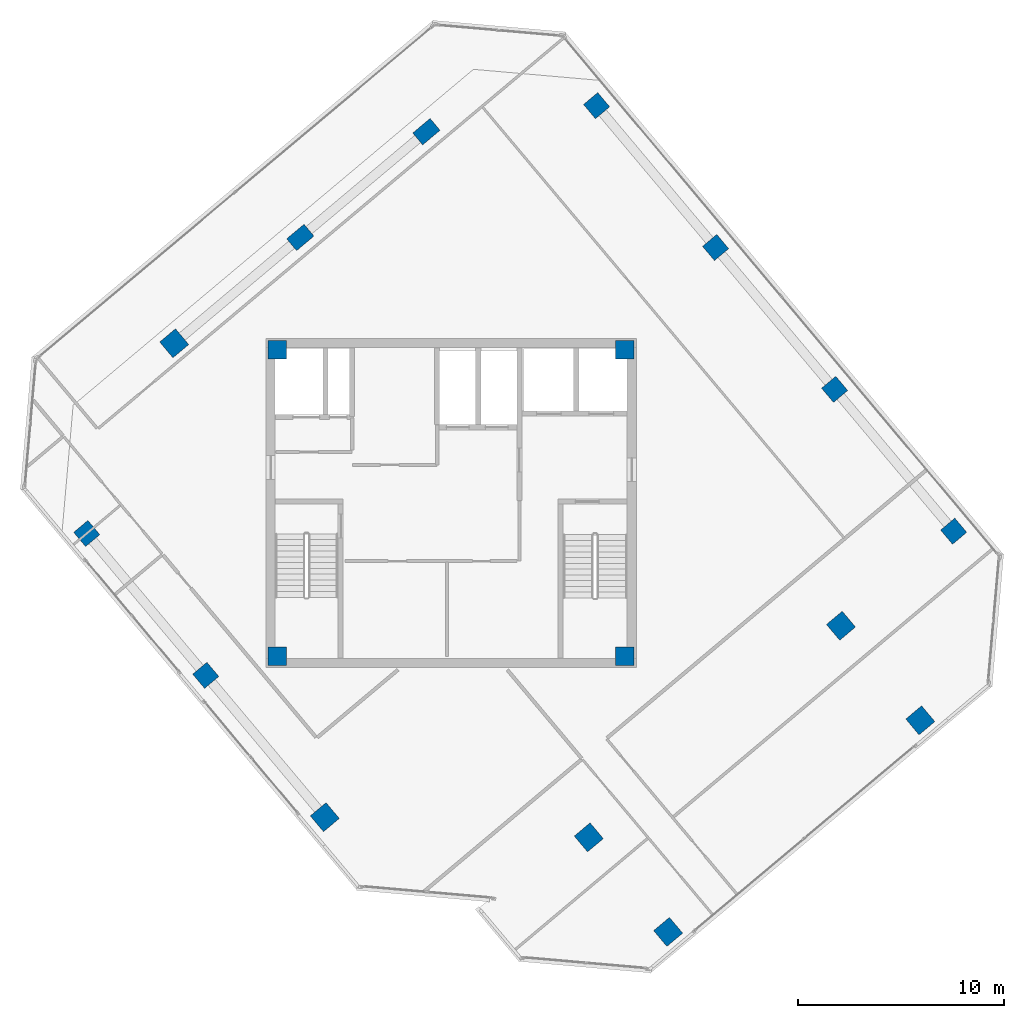
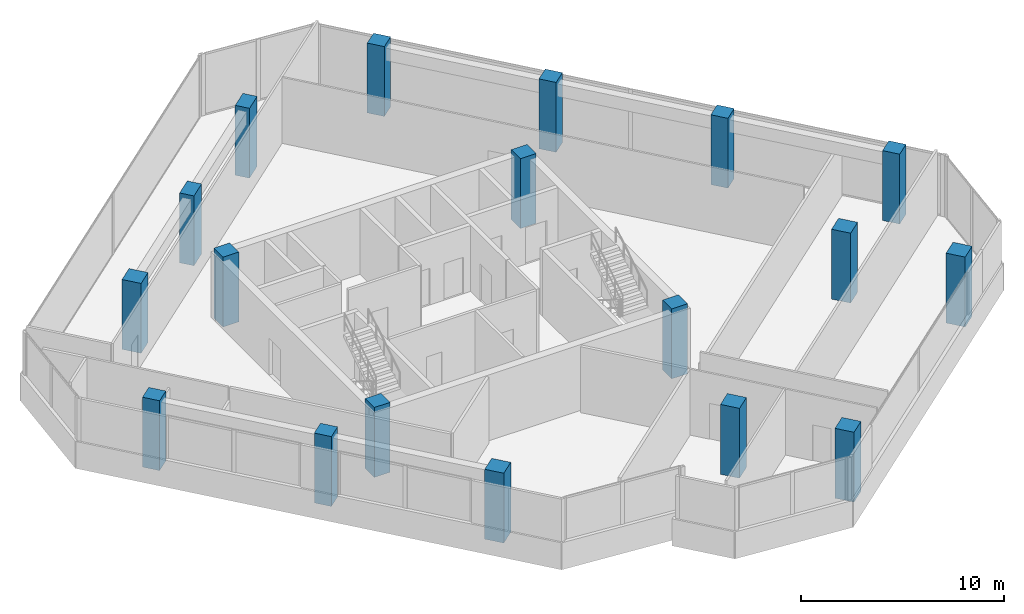
# One storey, part 1 of 17: 18 columns.
"""IFC4 building model written with IfcOpenShell, lengths in metres."""

from ifc_helpers import new_model, si_unit, direction, frame, origin, origin_2d, place, context, subcontext, project, spatial, rectangle, extrude, source, transform, mapped, material, material_profile, profile_set, type_object, element, save


model = new_model("IFC4")

# Units and contexts
model_context = context("Model", 3, precision=1e-05, world=origin(), true_north=direction((0.0, 1.0)))
body_context = subcontext(model_context, "Body", "Model", "MODEL_VIEW")
ifc_project = project(units=[si_unit("LENGTHUNIT", "METRE"), si_unit("AREAUNIT", "SQUARE_METRE"), si_unit("VOLUMEUNIT", "CUBIC_METRE"), si_unit("PLANEANGLEUNIT", "RADIAN"), si_unit("MASSUNIT", "GRAM", prefix="KILO")], contexts=[model_context])

# Site, building, storey
site_placement = place(None, origin())
site = spatial("IfcSite", under=ifc_project, at=site_placement, CompositionType="ELEMENT")
building_placement = place(site_placement, origin())
building = spatial("IfcBuilding", under=site, at=building_placement, Name="Torre Montelarca", CompositionType="ELEMENT")
storey_placement = place(building_placement, frame((0.0, 0.0, 271.0)))
storey = spatial("IfcBuildingStorey", under=building, at=storey_placement, Name="L61", CompositionType="ELEMENT", Elevation=271.0)

# Columns
ifc_material_1 = material(Name="Concrete C55/67", Category="concrete")
ifc_material_profile_1 = material_profile(ifc_material_1, rectangle(XDim=1.0, YDim=1.0, at=origin_2d()), Name="RC1000X1000", Category="concrete")
ifc_profile_set_1 = profile_set([ifc_material_profile_1], Name="Concrete C55/67")
column_type_1 = type_object("IfcColumnType", Name="COL-RC1000-EXT", PredefinedType="COLUMN", material=ifc_profile_set_1)
shared_shape_1 = source(origin(), body_context, "Body", "SweptSolid", [
    extrude(rectangle(XDim=1.0, YDim=1.0, at=origin_2d()), origin(), (0.0, 0.0, 1.0), 4.198486328125),
])
for number, where, z_axis, x_axis, name in (
    (1, (11.859375, 16.730712890625, 0.000732421875), (0.0, 0.0, 1.0), (-0.642787609687, 0.766044443119, 0.0), "L61 Column 4/CS"),
    (2, (28.548828125, 11.15380859375, 0.000732421875), (0.0, 0.0, 1.0), (-0.642787609687, 0.766044443119, 0.0), "L61 Column 6/D"),
    (3, (40.805419921875, 21.4384765625, 0.000732421875), (0.0, 0.0, 1.0), (-0.642787609687, 0.766044443119, 0.0), "L61 Column 6/F"),
    (4, (4.540771484375, 39.765380859375, 0.000732421875), (0.0, 0.0, 1.0), (-0.642787609687, 0.766044443119, 0.0), "L61 Column 1W/D"),
):
    element("IfcColumn", number, at=place(storey_placement, frame(where, z_axis=z_axis, x_axis=x_axis)), inside=storey, type_object=column_type_1, Name=name, PredefinedType="COLUMN", context=body_context, shape_type="MappedRepresentation", body=[
        mapped(shared_shape_1, transform((0.0, 0.0, 0.0), scale=1.0)),
    ])
ifc_material_profile_2 = material_profile(ifc_material_1, rectangle(XDim=0.89990234375, YDim=0.89990234375, at=origin_2d()), Name="RC900X900", Category="concrete")
ifc_profile_set_2 = profile_set([ifc_material_profile_2], Name="Concrete C55/67")
column_type_2 = type_object("IfcColumnType", Name="COL-RC900", PredefinedType="COLUMN", material=ifc_profile_set_2)
shared_shape_2 = source(origin(), body_context, "Body", "SweptSolid", [
    extrude(rectangle(XDim=0.89990234375, YDim=0.89990234375, at=origin_2d()), origin(), (0.0, 0.0, 1.0), 4.198486328125),
])
for number, where, z_axis, x_axis, name in (
    (5, (9.550048828125, 24.550048828125, 0.000732421875), (0.0, 0.0, 1.0), (1.0, 0.0, 0.0), "L61 Plumb Core Corner Column 2D"),
    (6, (26.449951171875, 24.550048828125, 0.000732421875), (0.0, 0.0, 1.0), (1.0, 0.0, 0.0), "L61 Plumb Core Corner Column 4D"),
    (7, (9.550048828125, 39.449951171875, 0.000732421875), (0.0, 0.0, 1.0), (1.0, 0.0, 0.0), "L61 Plumb Core Corner Column 2F"),
    (8, (26.449951171875, 39.449951171875, 0.000732421875), (0.0, 0.0, 1.0), (1.0, 0.0, 0.0), "L61 Plumb Core Corner Column 4F"),
):
    element("IfcColumn", number, at=place(storey_placement, frame(where, z_axis=z_axis, x_axis=x_axis)), inside=storey, type_object=column_type_2, Name=name, PredefinedType="COLUMN", context=body_context, shape_type="MappedRepresentation", body=[
        mapped(shared_shape_2, transform((0.0, 0.0, 0.0), scale=1.0)),
    ])
ifc_material_2 = material(Name="Concrete C40/50", Category="concrete")
ifc_material_profile_3 = material_profile(ifc_material_2, rectangle(XDim=0.75, YDim=1.10009765625, at=origin_2d()), Name="RC1100X750", Category="concrete")
ifc_profile_set_3 = profile_set([ifc_material_profile_3], Name="Concrete C40/50")
column_type_3 = type_object("IfcColumnType", Name="COL-PIL1100-EXT", PredefinedType="PILASTER", material=ifc_profile_set_3)
shared_shape_3 = source(origin(), body_context, "Body", "SweptSolid", [
    extrude(rectangle(XDim=0.75, YDim=1.10009765625, at=origin_2d()), origin(), (0.0, 0.0, 1.0), 4.198486328125),
])
for number, where, z_axis, x_axis, name in (
    (9, (10.6689453125, 44.90771484375, 0.000732421875), (0.0, 0.0, 1.0), (-0.642787609687, 0.766044443119, 0.0), "L61 Column 1W/E"),
    (10, (16.79736328125, 50.050048828125, 0.000732421875), (0.0, 0.0, 1.0), (-0.642787609687, 0.766044443119, 0.0), "L61 Column 1W/F"),
):
    element("IfcColumn", number, at=place(storey_placement, frame(where, z_axis=z_axis, x_axis=x_axis)), inside=storey, type_object=column_type_3, Name=name, PredefinedType="PILASTER", context=body_context, shape_type="MappedRepresentation", body=[
        mapped(shared_shape_3, transform((0.0, 0.0, 0.0), scale=1.0)),
    ])
ifc_material_profile_4 = material_profile(ifc_material_1, rectangle(XDim=0.89990234375, YDim=0.89990234375, at=origin_2d()), Name="RC900X900", Category="concrete")
ifc_profile_set_4 = profile_set([ifc_material_profile_4], Name="Concrete C55/67")
column_type_4 = type_object("IfcColumnType", Name="COL-RC900-EXT", PredefinedType="COLUMN", material=ifc_profile_set_4)
shared_shape_4 = source(origin(), body_context, "Body", "SweptSolid", [
    extrude(rectangle(XDim=0.89990234375, YDim=0.89990234375, at=origin_2d()), origin(), (0.0, 0.0, 1.0), 4.198486328125),
])
for number, where, z_axis, x_axis, name in (
    (11, (0.289306640625, 30.51953125, 0.000732421875), (0.0, 0.0, 1.0), (-0.642787609687, 0.766044443119, 0.0), "L61 Column 2/CS"),
    (12, (25.07080078125, 51.313720703125, 0.000732421875), (0.0, 0.0, 1.0), (-0.642787609687, 0.766044443119, 0.0), "L61 Column 2/GN"),
    (13, (6.07421875, 23.625244140625, 0.000732421875), (0.0, 0.0, 1.0), (-0.642787609687, 0.766044443119, 0.0), "L61 Column 3/CS"),
    (14, (30.855712890625, 44.41943359375, 0.000732421875), (0.0, 0.0, 1.0), (-0.642787609687, 0.766044443119, 0.0), "L61 Column 3/GN"),
    (15, (36.640869140625, 37.52490234375, 0.000732421875), (0.0, 0.0, 1.0), (-0.642787609687, 0.766044443119, 0.0), "L61 Column 4/GN"),
    (16, (42.426025390625, 30.630615234375, 0.000732421875), (0.0, 0.0, 1.0), (-0.642787609687, 0.766044443119, 0.0), "L61 Column 5/GN"),
):
    element("IfcColumn", number, at=place(storey_placement, frame(where, z_axis=z_axis, x_axis=x_axis)), inside=storey, type_object=column_type_4, Name=name, PredefinedType="COLUMN", context=body_context, shape_type="MappedRepresentation", body=[
        mapped(shared_shape_4, transform((0.0, 0.0, 0.0), scale=1.0)),
    ])
ifc_material_profile_5 = material_profile(ifc_material_1, rectangle(XDim=1.0, YDim=1.0, at=origin_2d()), Name="RC1000X1000", Category="concrete")
ifc_profile_set_5 = profile_set([ifc_material_profile_5], Name="Concrete C55/67")
column_type_5 = type_object("IfcColumnType", Name="COL-RC1000", PredefinedType="COLUMN", material=ifc_profile_set_5)
shared_shape_5 = source(origin(), body_context, "Body", "SweptSolid", [
    extrude(rectangle(XDim=1.0, YDim=1.0, at=origin_2d()), origin(), (0.0, 0.0, 1.0), 4.198486328125),
])
for number, where, z_axis, x_axis, name in (
    (17, (24.692138671875, 15.75, 0.000732421875), (0.0, 0.0, 1.0), (-0.642787609687, 0.766044443119, 0.0), "L61 Column 5/D"),
    (18, (36.94873046875, 26.03466796875, 0.000732421875), (0.0, 0.0, 1.0), (-0.642787609687, 0.766044443119, 0.0), "L61 Column 5/F"),
):
    element("IfcColumn", number, at=place(storey_placement, frame(where, z_axis=z_axis, x_axis=x_axis)), inside=storey, type_object=column_type_5, Name=name, PredefinedType="COLUMN", context=body_context, shape_type="MappedRepresentation", body=[
        mapped(shared_shape_5, transform((0.0, 0.0, 0.0), scale=1.0)),
    ])

save(model, "model.ifc")
